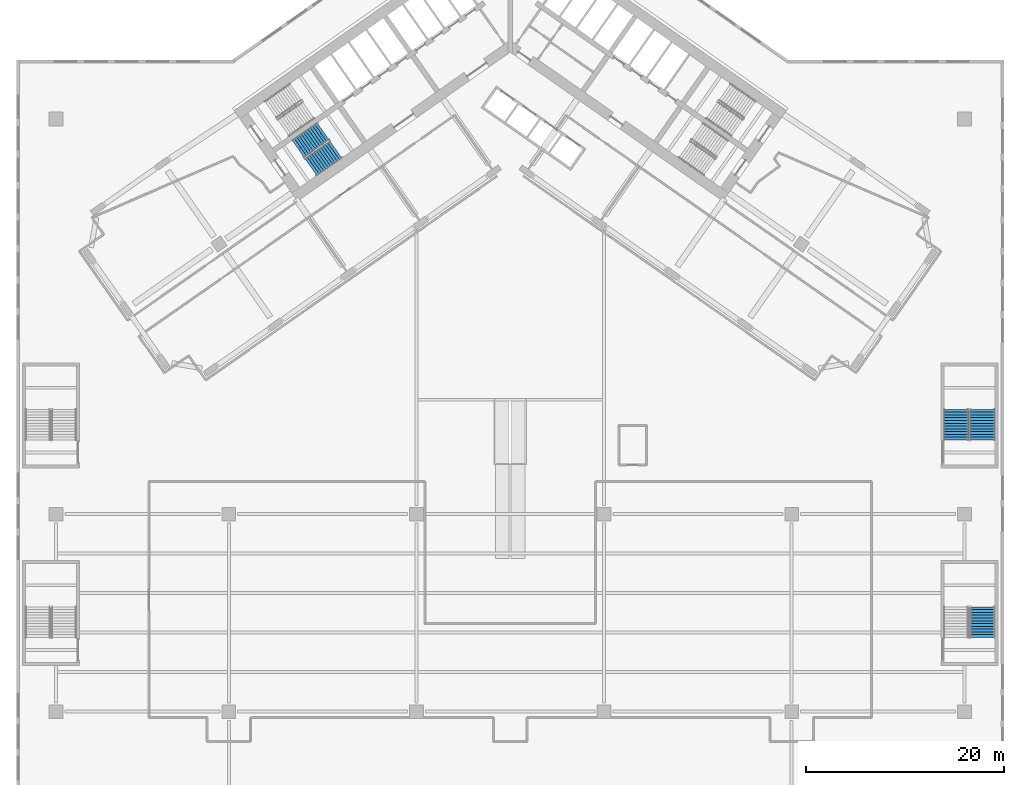
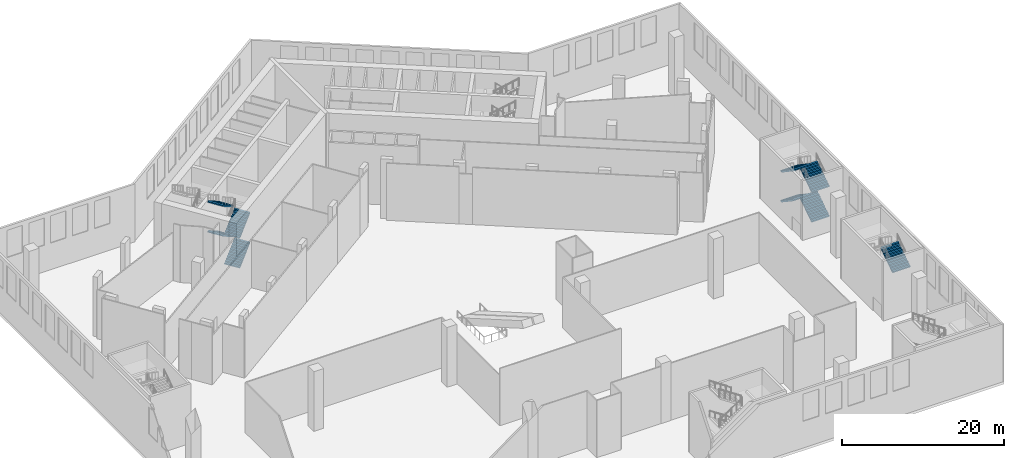
# One storey, part 16 of 27: 9 stair flights, 3 elements without a shape of their own.
"""IFC4 building model written with IfcOpenShell, lengths in metres."""

import ifcopenshell
import ifcopenshell.guid

model = None  # the IFC model being written
_history = None  # IfcOwnerHistory: only IFC2X3 demands one
_inside = {}  # id of a spatial element -> (the spatial element, [elements in it])
_under = {}  # id of a project, library or spatial element -> (it, [spatial elements below it])
_declared = {}  # id of a project -> (the project, [libraries it declares])
_typed = {}  # id of a type object -> (the type object, [elements of that type])
_made_of = {}  # id of a material, layer set ... -> (it, [elements and type objects made of it])


def new_model(schema):
    """Start an empty IFC model of exactly this schema.

    Asked for "IFC4X3", IfcOpenShell would pick the latest addendum, in which some entities
    have other attributes; the version numbers below select the first issue.
    IFC2X3 requires an IfcOwnerHistory on every rooted entity: one is made here for all.
    """
    global model, _history
    if schema == "IFC4X3":
        model = ifcopenshell.file(schema_version=(4, 3, 0, 0))
    else:
        model = ifcopenshell.file(schema=schema)
    _inside.clear()
    _under.clear()
    _declared.clear()
    _typed.clear()
    _made_of.clear()
    _history = None
    if model.schema == "IFC2X3":
        org = make("IfcOrganization", Name="unknown")
        user = make(
            "IfcPersonAndOrganization",
            ThePerson=make("IfcPerson", FamilyName="unknown"),
            TheOrganization=org,
        )
        app = make(
            "IfcApplication",
            ApplicationDeveloper=org,
            Version="unknown",
            ApplicationFullName="unknown",
            ApplicationIdentifier="unknown",
        )
        _history = make(
            "IfcOwnerHistory",
            OwningUser=user,
            OwningApplication=app,
            ChangeAction="ADDED",
            CreationDate=0,
        )
    return model


def make(cls, **values):
    """One entity of the class cls with the attributes given. An attribute that is None is left unset."""
    return model.create_entity(
        cls, **{name: value for name, value in values.items() if value is not None}
    )


def rooted(cls, **values):
    """An entity with a GlobalId (a new one), such as an element, a storey or a relation."""
    return make(cls, GlobalId=ifcopenshell.guid.new(), OwnerHistory=_history, **values)


def si_unit(unit_type, name, prefix=None):
    """IfcSIUnit, for example si_unit("LENGTHUNIT", "METRE", prefix="MILLI")."""
    return make("IfcSIUnit", UnitType=unit_type, Prefix=prefix, Name=name)


def assignment(units):
    """IfcUnitAssignment: the units of a project."""
    return None if units is None else make("IfcUnitAssignment", Units=units)


def point(xyz):
    """IfcCartesianPoint."""
    return None if xyz is None else make("IfcCartesianPoint", Coordinates=xyz)


def direction(xyz):
    """IfcDirection."""
    return None if xyz is None else make("IfcDirection", DirectionRatios=xyz)


def frame(location, z_axis=None, x_axis=None):
    """IfcAxis2Placement3D, a coordinate frame: its origin and axes. An axis left out is left unset."""
    return make(
        "IfcAxis2Placement3D",
        Location=point(location),
        Axis=direction(z_axis),
        RefDirection=direction(x_axis),
    )


def origin():
    """The frame at (0, 0, 0) with its axes left unset."""
    return frame((0.0, 0.0, 0.0))


def place(relative_to, where):
    """IfcLocalPlacement: puts the frame where relative to a parent placement (None: the world)."""
    return make(
        "IfcLocalPlacement", PlacementRelTo=relative_to, RelativePlacement=where
    )


def context(
    kind, dimensions, precision=None, world=None, true_north=None, identifier=None
):
    """IfcGeometricRepresentationContext, for example the 3D "Model" context."""
    return make(
        "IfcGeometricRepresentationContext",
        ContextIdentifier=identifier,
        ContextType=kind,
        CoordinateSpaceDimension=dimensions,
        Precision=precision,
        WorldCoordinateSystem=world,
        TrueNorth=true_north,
    )


def subcontext(parent, identifier, kind, view, scale=None):
    """IfcGeometricRepresentationSubContext, for example "Body" below "Model"."""
    return make(
        "IfcGeometricRepresentationSubContext",
        ContextIdentifier=identifier,
        ContextType=kind,
        ParentContext=parent,
        TargetScale=scale,
        TargetView=view,
    )


def project(units=None, contexts=None):
    """IfcProject with its units and contexts."""
    return rooted(
        "IfcProject",
        Name="project",
        RepresentationContexts=contexts,
        UnitsInContext=assignment(units),
    )


def spatial(cls, under=None, at=None, **own):
    """A site, building, storey or space (cls), placed at a placement, below another one or the project."""
    s = rooted(cls, ObjectPlacement=at, **own)
    if under is not None:
        _under.setdefault(under.id(), (under, []))[1].append(s)
    return s


def polyline(points):
    """IfcPolyline through the points."""
    return make("IfcPolyline", Points=[point(p) for p in points])


def outline(outer, holes=None, kind="AREA"):
    """IfcArbitraryClosedProfileDef: a profile drawn as a closed curve; with holes, ...WithVoids."""
    if holes is None:
        return make("IfcArbitraryClosedProfileDef", ProfileType=kind, OuterCurve=outer)
    return make(
        "IfcArbitraryProfileDefWithVoids",
        ProfileType=kind,
        OuterCurve=outer,
        InnerCurves=holes,
    )


def extrude(swept, where, along, depth):
    """IfcExtrudedAreaSolid: the profile swept, set in the frame where, extruded along a direction by depth."""
    return make(
        "IfcExtrudedAreaSolid",
        SweptArea=swept,
        Position=where,
        ExtrudedDirection=direction(along),
        Depth=depth,
    )


def shape(context_of_items, identifier, shape_type, items):
    """IfcShapeRepresentation: the items that make up one representation, for example the "Body"."""
    return make(
        "IfcShapeRepresentation",
        ContextOfItems=context_of_items,
        RepresentationIdentifier=identifier,
        RepresentationType=shape_type,
        Items=items,
    )


def material(Name=None, Category=None):
    """IfcMaterial."""
    return make("IfcMaterial", Name=Name, Category=Category)


def made_of(thing, what):
    """Note that an element or type object is made of a material, layer set ...; save() writes the relation."""
    if what is not None:
        _made_of.setdefault(what.id(), (what, []))[1].append(thing)
    return thing


def type_object(cls, material=None, **own):
    """A type object (cls), such as IfcWallType, which elements share."""
    return made_of(rooted(cls, **own), material)


def element(
    cls,
    number,
    at=None,
    inside=None,
    cuts=None,
    type_object=None,
    material=None,
    context=None,
    identifier="Body",
    shape_type=None,
    held_by="IfcProductDefinitionShape",
    body=None,
    shapes=None,
    **own,
):
    """One element of the class cls, such as IfcWall. Its Tag is "e" and its number.

    at: its placement. inside: the storey or other place that contains it. cuts: it is an
    opening in that element (IfcRelVoidsElement). A single representation is given by context,
    identifier, shape_type and body (its items); several are given by shapes. held_by: the class
    of the entity that holds the representations. save() writes the other relations.
    """
    e = rooted(cls, Tag="e%d" % number, ObjectPlacement=at, **own)
    if body is not None:
        shapes = [shape(context, identifier, shape_type, body)]
    if shapes is not None:
        e.Representation = make(held_by, Representations=shapes)
    if inside is not None:
        _inside.setdefault(inside.id(), (inside, []))[1].append(e)
    if cuts is not None:
        rooted(
            "IfcRelVoidsElement", RelatingBuildingElement=cuts, RelatedOpeningElement=e
        )
    if type_object is not None:
        _typed.setdefault(type_object.id(), (type_object, []))[1].append(e)
    return made_of(e, material)


def aggregate(whole, parts):
    """IfcRelAggregates: a whole, such as a stair, and the parts it consists of."""
    return rooted("IfcRelAggregates", RelatingObject=whole, RelatedObjects=parts)


def save(model, path):
    """Write the relations noted so far, then the file.

    IfcRelAggregates (storeys below a building ...), IfcRelContainedInSpatialStructure (elements
    in a storey), IfcRelDefinesByType, IfcRelAssociatesMaterial and IfcRelDeclares: one each for
    every whole, place, type object, material and project.
    """
    for whole, parts in _under.values():
        aggregate(whole, parts)
    for where, things in _inside.values():
        rooted(
            "IfcRelContainedInSpatialStructure",
            RelatedElements=things,
            RelatingStructure=where,
        )
    for kind, things in _typed.values():
        rooted("IfcRelDefinesByType", RelatedObjects=things, RelatingType=kind)
    for what, things in _made_of.values():
        rooted("IfcRelAssociatesMaterial", RelatedObjects=things, RelatingMaterial=what)
    for by, libraries in _declared.values():
        rooted("IfcRelDeclares", RelatingContext=by, RelatedDefinitions=libraries)
    model.write(path)


model = new_model("IFC4")

# Units and contexts
model_context = context("Model", 3, precision=1e-05, world=origin(), true_north=direction((0.0, 1.0)))
body_context = subcontext(model_context, "Body", "Model", "MODEL_VIEW")
ifc_project = project(units=[si_unit("LENGTHUNIT", "METRE"), si_unit("AREAUNIT", "SQUARE_METRE"), si_unit("VOLUMEUNIT", "CUBIC_METRE"), si_unit("PLANEANGLEUNIT", "RADIAN"), si_unit("MASSUNIT", "GRAM", prefix="KILO")], contexts=[model_context])

# Site, building, storey
site_placement = place(None, origin())
site = spatial("IfcSite", under=ifc_project, at=site_placement, CompositionType="ELEMENT")
building_placement = place(site_placement, origin())
building = spatial("IfcBuilding", under=site, at=building_placement, Name="Tel Ilan Convention Tower", CompositionType="ELEMENT")
storey_placement = place(building_placement, frame((0.0, 0.0, 9.0)))
storey = spatial("IfcBuildingStorey", under=building, at=storey_placement, Name="L01", CompositionType="ELEMENT", Elevation=9.0)

# Stair, stair flights
ifc_material_1 = material(Name="Concrete C40/50", Category="concrete")
stair_type = type_object("IfcStairType", Name="Pressurised Exit Stair 48 risers 188 mm", PredefinedType="HALF_TURN_STAIR", material=ifc_material_1)
stair_1_placement = place(storey_placement, origin())
stair_1 = element("IfcStair", 1, at=stair_1_placement, inside=storey, type_object=stair_type, Name="L01 Pressurised Stair S2", PredefinedType="HALF_TURN_STAIR")
ifc_material_2 = material(Name="Precast Concrete C40/50", Category="concrete")
stair_flight_type_1 = type_object("IfcStairFlightType", Name="Concrete Stair Flight 2100 mm 48 risers 188 mm", PredefinedType="STRAIGHT", material=ifc_material_2)
stair_flight_1_placement = place(storey_placement, frame((-20.179931640625, -12.848388671875, 0.0), z_axis=(0.0, 0.0, 1.0), x_axis=(0.819152044289, 0.573576436351, 0.0)))
stair_flight_1 = element("IfcStairFlight", 2, at=stair_flight_1_placement, type_object=stair_flight_type_1, Name="S2 flight 1", NumberOfRisers=12, NumberOfTreads=11, PredefinedType="STRAIGHT", RiserHeight=0.1875, TreadLength=0.28, context=body_context, shape_type="SweptSolid", body=[
    extrude(outline(polyline([(0.0, 0.0), (0.0, 0.1875), (0.280029296875, 0.1875), (0.280029296875, 0.375), (0.56005859375, 0.375), (0.56005859375, 0.5625), (0.840087890625, 0.5625), (0.840087890625, 0.75), (1.1201171875, 0.75), (1.1201171875, 0.9375), (1.39990234375, 0.9375), (1.39990234375, 1.125), (1.679931640625, 1.125), (1.679931640625, 1.3125), (1.9599609375, 1.3125), (1.9599609375, 1.5), (2.239990234375, 1.5), (2.239990234375, 1.6875), (2.52001953125, 1.6875), (2.52001953125, 1.875), (2.800048828125, 1.875), (2.800048828125, 2.0625), (3.080078125, 2.0625), (3.080078125, 2.25), (3.080078125, 1.882080078125), (0.26953125, 0.0), (0.0, 0.0)])), frame((0.0, -0.100341796875, 0.0), z_axis=(0.0, -1.0, 0.0), x_axis=(1.0, 0.0, 0.0)), (0.0, 0.0, 1.0), 0.94970703125),
    extrude(outline(polyline([(0.0, 0.0), (0.0, 0.1875), (0.280029296875, 0.1875), (0.280029296875, 0.375), (0.56005859375, 0.375), (0.56005859375, 0.5625), (0.840087890625, 0.5625), (0.840087890625, 0.75), (1.1201171875, 0.75), (1.1201171875, 0.9375), (1.39990234375, 0.9375), (1.39990234375, 1.125), (1.679931640625, 1.125), (1.679931640625, 1.3125), (1.9599609375, 1.3125), (1.9599609375, 1.5), (2.239990234375, 1.5), (2.239990234375, 1.6875), (2.52001953125, 1.6875), (2.52001953125, 1.875), (2.800048828125, 1.875), (2.800048828125, 2.0625), (3.080078125, 2.0625), (3.080078125, 2.25), (3.080078125, 1.882080078125), (0.26953125, 0.0), (0.0, 0.0)])), frame((0.0, -0.000244140625, 0.0), z_axis=(0.0, -1.0, 0.0), x_axis=(1.0, 0.0, 0.0)), (0.0, 0.0, 1.0), 0.099609375),
    extrude(outline(polyline([(0.0, 0.0), (0.0, 0.1875), (0.280029296875, 0.1875), (0.280029296875, 0.375), (0.56005859375, 0.375), (0.56005859375, 0.5625), (0.840087890625, 0.5625), (0.840087890625, 0.75), (1.1201171875, 0.75), (1.1201171875, 0.9375), (1.39990234375, 0.9375), (1.39990234375, 1.125), (1.679931640625, 1.125), (1.679931640625, 1.3125), (1.9599609375, 1.3125), (1.9599609375, 1.5), (2.239990234375, 1.5), (2.239990234375, 1.6875), (2.52001953125, 1.6875), (2.52001953125, 1.875), (2.800048828125, 1.875), (2.800048828125, 2.0625), (3.080078125, 2.0625), (3.080078125, 2.25), (3.080078125, 1.882080078125), (0.26953125, 0.0), (0.0, 0.0)])), frame((0.0, 0.099853515625, 0.0), z_axis=(0.0, -1.0, 0.0), x_axis=(1.0, 0.0, 0.0)), (0.0, 0.0, 1.0), 0.099609375),
    extrude(outline(polyline([(0.0, 0.0), (0.0, 0.1875), (0.280029296875, 0.1875), (0.280029296875, 0.375), (0.56005859375, 0.375), (0.56005859375, 0.5625), (0.840087890625, 0.5625), (0.840087890625, 0.75), (1.1201171875, 0.75), (1.1201171875, 0.9375), (1.39990234375, 0.9375), (1.39990234375, 1.125), (1.679931640625, 1.125), (1.679931640625, 1.3125), (1.9599609375, 1.3125), (1.9599609375, 1.5), (2.239990234375, 1.5), (2.239990234375, 1.6875), (2.52001953125, 1.6875), (2.52001953125, 1.875), (2.800048828125, 1.875), (2.800048828125, 2.0625), (3.080078125, 2.0625), (3.080078125, 2.25), (3.080078125, 1.882080078125), (0.26953125, 0.0), (0.0, 0.0)])), frame((0.0, 1.050048828125, 0.0), z_axis=(0.0, -1.0, 0.0), x_axis=(1.0, 0.0, 0.0)), (0.0, 0.0, 1.0), 0.94970703125),
])
stair_flight_2_placement = place(storey_placement, frame((-18.947509765625, -9.23876953125, 2.25), z_axis=(0.0, 0.0, 1.0), x_axis=(-0.819152044289, -0.573576436351, 0.0)))
stair_flight_2 = element("IfcStairFlight", 3, at=stair_flight_2_placement, type_object=stair_flight_type_1, Name="S2 flight 2", NumberOfRisers=12, NumberOfTreads=11, PredefinedType="STRAIGHT", RiserHeight=0.1875, TreadLength=0.28, context=body_context, shape_type="SweptSolid", body=[
    extrude(outline(polyline([(0.0, 0.0), (0.0, 0.1875), (0.280029296875, 0.1875), (0.280029296875, 0.375), (0.56005859375, 0.375), (0.56005859375, 0.5625), (0.840087890625, 0.5625), (0.840087890625, 0.75), (1.1201171875, 0.75), (1.1201171875, 0.9375), (1.39990234375, 0.9375), (1.39990234375, 1.125), (1.679931640625, 1.125), (1.679931640625, 1.3125), (1.9599609375, 1.3125), (1.9599609375, 1.5), (2.239990234375, 1.5), (2.239990234375, 1.6875), (2.52001953125, 1.6875), (2.52001953125, 1.875), (2.800048828125, 1.875), (2.800048828125, 2.0625), (3.080078125, 2.0625), (3.080078125, 2.25), (3.080078125, 1.882080078125), (0.26953125, 0.0), (0.0, 0.0)])), frame((0.0, -0.100341796875, 0.0), z_axis=(0.0, -1.0, 0.0), x_axis=(1.0, 0.0, 0.0)), (0.0, 0.0, 1.0), 0.94970703125),
    extrude(outline(polyline([(0.0, 0.0), (0.0, 0.1875), (0.280029296875, 0.1875), (0.280029296875, 0.375), (0.56005859375, 0.375), (0.56005859375, 0.5625), (0.840087890625, 0.5625), (0.840087890625, 0.75), (1.1201171875, 0.75), (1.1201171875, 0.9375), (1.39990234375, 0.9375), (1.39990234375, 1.125), (1.679931640625, 1.125), (1.679931640625, 1.3125), (1.9599609375, 1.3125), (1.9599609375, 1.5), (2.239990234375, 1.5), (2.239990234375, 1.6875), (2.52001953125, 1.6875), (2.52001953125, 1.875), (2.800048828125, 1.875), (2.800048828125, 2.0625), (3.080078125, 2.0625), (3.080078125, 2.25), (3.080078125, 1.882080078125), (0.26953125, 0.0), (0.0, 0.0)])), frame((0.0, -0.000244140625, 0.0), z_axis=(0.0, -1.0, 0.0), x_axis=(1.0, 0.0, 0.0)), (0.0, 0.0, 1.0), 0.099609375),
    extrude(outline(polyline([(0.0, 0.0), (0.0, 0.1875), (0.280029296875, 0.1875), (0.280029296875, 0.375), (0.56005859375, 0.375), (0.56005859375, 0.5625), (0.840087890625, 0.5625), (0.840087890625, 0.75), (1.1201171875, 0.75), (1.1201171875, 0.9375), (1.39990234375, 0.9375), (1.39990234375, 1.125), (1.679931640625, 1.125), (1.679931640625, 1.3125), (1.9599609375, 1.3125), (1.9599609375, 1.5), (2.239990234375, 1.5), (2.239990234375, 1.6875), (2.52001953125, 1.6875), (2.52001953125, 1.875), (2.800048828125, 1.875), (2.800048828125, 2.0625), (3.080078125, 2.0625), (3.080078125, 2.25), (3.080078125, 1.882080078125), (0.26953125, 0.0), (0.0, 0.0)])), frame((0.0, 0.099853515625, 0.0), z_axis=(0.0, -1.0, 0.0), x_axis=(1.0, 0.0, 0.0)), (0.0, 0.0, 1.0), 0.099609375),
    extrude(outline(polyline([(0.0, 0.0), (0.0, 0.1875), (0.280029296875, 0.1875), (0.280029296875, 0.375), (0.56005859375, 0.375), (0.56005859375, 0.5625), (0.840087890625, 0.5625), (0.840087890625, 0.75), (1.1201171875, 0.75), (1.1201171875, 0.9375), (1.39990234375, 0.9375), (1.39990234375, 1.125), (1.679931640625, 1.125), (1.679931640625, 1.3125), (1.9599609375, 1.3125), (1.9599609375, 1.5), (2.239990234375, 1.5), (2.239990234375, 1.6875), (2.52001953125, 1.6875), (2.52001953125, 1.875), (2.800048828125, 1.875), (2.800048828125, 2.0625), (3.080078125, 2.0625), (3.080078125, 2.25), (3.080078125, 1.882080078125), (0.26953125, 0.0), (0.0, 0.0)])), frame((0.0, 1.050048828125, 0.0), z_axis=(0.0, -1.0, 0.0), x_axis=(1.0, 0.0, 0.0)), (0.0, 0.0, 1.0), 0.94970703125),
])
stair_flight_3_placement = place(storey_placement, frame((-20.179931640625, -12.848388671875, 4.5), z_axis=(0.0, 0.0, 1.0), x_axis=(0.819152044289, 0.573576436351, 0.0)))
stair_flight_3 = element("IfcStairFlight", 4, at=stair_flight_3_placement, type_object=stair_flight_type_1, Name="S2 flight 3", NumberOfRisers=12, NumberOfTreads=11, PredefinedType="STRAIGHT", RiserHeight=0.1875, TreadLength=0.28, context=body_context, shape_type="SweptSolid", body=[
    extrude(outline(polyline([(0.0, 0.0), (0.0, 0.1875), (0.280029296875, 0.1875), (0.280029296875, 0.375), (0.56005859375, 0.375), (0.56005859375, 0.5625), (0.840087890625, 0.5625), (0.840087890625, 0.75), (1.1201171875, 0.75), (1.1201171875, 0.9375), (1.39990234375, 0.9375), (1.39990234375, 1.125), (1.679931640625, 1.125), (1.679931640625, 1.3125), (1.9599609375, 1.3125), (1.9599609375, 1.5), (2.239990234375, 1.5), (2.239990234375, 1.6875), (2.52001953125, 1.6875), (2.52001953125, 1.875), (2.800048828125, 1.875), (2.800048828125, 2.0625), (3.080078125, 2.0625), (3.080078125, 2.25), (3.080078125, 1.882080078125), (0.26953125, 0.0), (0.0, 0.0)])), frame((0.0, -0.100341796875, 0.0), z_axis=(0.0, -1.0, 0.0), x_axis=(1.0, 0.0, 0.0)), (0.0, 0.0, 1.0), 0.94970703125),
    extrude(outline(polyline([(0.0, 0.0), (0.0, 0.1875), (0.280029296875, 0.1875), (0.280029296875, 0.375), (0.56005859375, 0.375), (0.56005859375, 0.5625), (0.840087890625, 0.5625), (0.840087890625, 0.75), (1.1201171875, 0.75), (1.1201171875, 0.9375), (1.39990234375, 0.9375), (1.39990234375, 1.125), (1.679931640625, 1.125), (1.679931640625, 1.3125), (1.9599609375, 1.3125), (1.9599609375, 1.5), (2.239990234375, 1.5), (2.239990234375, 1.6875), (2.52001953125, 1.6875), (2.52001953125, 1.875), (2.800048828125, 1.875), (2.800048828125, 2.0625), (3.080078125, 2.0625), (3.080078125, 2.25), (3.080078125, 1.882080078125), (0.26953125, 0.0), (0.0, 0.0)])), frame((0.0, -0.000244140625, 0.0), z_axis=(0.0, -1.0, 0.0), x_axis=(1.0, 0.0, 0.0)), (0.0, 0.0, 1.0), 0.099609375),
    extrude(outline(polyline([(0.0, 0.0), (0.0, 0.1875), (0.280029296875, 0.1875), (0.280029296875, 0.375), (0.56005859375, 0.375), (0.56005859375, 0.5625), (0.840087890625, 0.5625), (0.840087890625, 0.75), (1.1201171875, 0.75), (1.1201171875, 0.9375), (1.39990234375, 0.9375), (1.39990234375, 1.125), (1.679931640625, 1.125), (1.679931640625, 1.3125), (1.9599609375, 1.3125), (1.9599609375, 1.5), (2.239990234375, 1.5), (2.239990234375, 1.6875), (2.52001953125, 1.6875), (2.52001953125, 1.875), (2.800048828125, 1.875), (2.800048828125, 2.0625), (3.080078125, 2.0625), (3.080078125, 2.25), (3.080078125, 1.882080078125), (0.26953125, 0.0), (0.0, 0.0)])), frame((0.0, 0.099853515625, 0.0), z_axis=(0.0, -1.0, 0.0), x_axis=(1.0, 0.0, 0.0)), (0.0, 0.0, 1.0), 0.099609375),
    extrude(outline(polyline([(0.0, 0.0), (0.0, 0.1875), (0.280029296875, 0.1875), (0.280029296875, 0.375), (0.56005859375, 0.375), (0.56005859375, 0.5625), (0.840087890625, 0.5625), (0.840087890625, 0.75), (1.1201171875, 0.75), (1.1201171875, 0.9375), (1.39990234375, 0.9375), (1.39990234375, 1.125), (1.679931640625, 1.125), (1.679931640625, 1.3125), (1.9599609375, 1.3125), (1.9599609375, 1.5), (2.239990234375, 1.5), (2.239990234375, 1.6875), (2.52001953125, 1.6875), (2.52001953125, 1.875), (2.800048828125, 1.875), (2.800048828125, 2.0625), (3.080078125, 2.0625), (3.080078125, 2.25), (3.080078125, 1.882080078125), (0.26953125, 0.0), (0.0, 0.0)])), frame((0.0, 1.050048828125, 0.0), z_axis=(0.0, -1.0, 0.0), x_axis=(1.0, 0.0, 0.0)), (0.0, 0.0, 1.0), 0.94970703125),
])
stair_flight_4_placement = place(storey_placement, frame((-18.947509765625, -9.23876953125, 6.75), z_axis=(0.0, 0.0, 1.0), x_axis=(-0.819152044289, -0.573576436351, 0.0)))
stair_flight_4 = element("IfcStairFlight", 5, at=stair_flight_4_placement, type_object=stair_flight_type_1, Name="S2 flight 4", NumberOfRisers=12, NumberOfTreads=11, PredefinedType="STRAIGHT", RiserHeight=0.1875, TreadLength=0.28, context=body_context, shape_type="SweptSolid", body=[
    extrude(outline(polyline([(0.0, 0.0), (0.0, 0.1875), (0.280029296875, 0.1875), (0.280029296875, 0.375), (0.56005859375, 0.375), (0.56005859375, 0.5625), (0.840087890625, 0.5625), (0.840087890625, 0.75), (1.1201171875, 0.75), (1.1201171875, 0.9375), (1.39990234375, 0.9375), (1.39990234375, 1.125), (1.679931640625, 1.125), (1.679931640625, 1.3125), (1.9599609375, 1.3125), (1.9599609375, 1.5), (2.239990234375, 1.5), (2.239990234375, 1.6875), (2.52001953125, 1.6875), (2.52001953125, 1.875), (2.800048828125, 1.875), (2.800048828125, 2.0625), (3.080078125, 2.0625), (3.080078125, 2.25), (3.080078125, 1.882080078125), (0.26953125, 0.0), (0.0, 0.0)])), frame((0.0, -0.100341796875, 0.0), z_axis=(0.0, -1.0, 0.0), x_axis=(1.0, 0.0, 0.0)), (0.0, 0.0, 1.0), 0.94970703125),
    extrude(outline(polyline([(0.0, 0.0), (0.0, 0.1875), (0.280029296875, 0.1875), (0.280029296875, 0.375), (0.56005859375, 0.375), (0.56005859375, 0.5625), (0.840087890625, 0.5625), (0.840087890625, 0.75), (1.1201171875, 0.75), (1.1201171875, 0.9375), (1.39990234375, 0.9375), (1.39990234375, 1.125), (1.679931640625, 1.125), (1.679931640625, 1.3125), (1.9599609375, 1.3125), (1.9599609375, 1.5), (2.239990234375, 1.5), (2.239990234375, 1.6875), (2.52001953125, 1.6875), (2.52001953125, 1.875), (2.800048828125, 1.875), (2.800048828125, 2.0625), (3.080078125, 2.0625), (3.080078125, 2.25), (3.080078125, 1.882080078125), (0.26953125, 0.0), (0.0, 0.0)])), frame((0.0, -0.000244140625, 0.0), z_axis=(0.0, -1.0, 0.0), x_axis=(1.0, 0.0, 0.0)), (0.0, 0.0, 1.0), 0.099609375),
    extrude(outline(polyline([(0.0, 0.0), (0.0, 0.1875), (0.280029296875, 0.1875), (0.280029296875, 0.375), (0.56005859375, 0.375), (0.56005859375, 0.5625), (0.840087890625, 0.5625), (0.840087890625, 0.75), (1.1201171875, 0.75), (1.1201171875, 0.9375), (1.39990234375, 0.9375), (1.39990234375, 1.125), (1.679931640625, 1.125), (1.679931640625, 1.3125), (1.9599609375, 1.3125), (1.9599609375, 1.5), (2.239990234375, 1.5), (2.239990234375, 1.6875), (2.52001953125, 1.6875), (2.52001953125, 1.875), (2.800048828125, 1.875), (2.800048828125, 2.0625), (3.080078125, 2.0625), (3.080078125, 2.25), (3.080078125, 1.882080078125), (0.26953125, 0.0), (0.0, 0.0)])), frame((0.0, 0.099853515625, 0.0), z_axis=(0.0, -1.0, 0.0), x_axis=(1.0, 0.0, 0.0)), (0.0, 0.0, 1.0), 0.099609375),
    extrude(outline(polyline([(0.0, 0.0), (0.0, 0.1875), (0.280029296875, 0.1875), (0.280029296875, 0.375), (0.56005859375, 0.375), (0.56005859375, 0.5625), (0.840087890625, 0.5625), (0.840087890625, 0.75), (1.1201171875, 0.75), (1.1201171875, 0.9375), (1.39990234375, 0.9375), (1.39990234375, 1.125), (1.679931640625, 1.125), (1.679931640625, 1.3125), (1.9599609375, 1.3125), (1.9599609375, 1.5), (2.239990234375, 1.5), (2.239990234375, 1.6875), (2.52001953125, 1.6875), (2.52001953125, 1.875), (2.800048828125, 1.875), (2.800048828125, 2.0625), (3.080078125, 2.0625), (3.080078125, 2.25), (3.080078125, 1.882080078125), (0.26953125, 0.0), (0.0, 0.0)])), frame((0.0, 1.050048828125, 0.0), z_axis=(0.0, -1.0, 0.0), x_axis=(1.0, 0.0, 0.0)), (0.0, 0.0, 1.0), 0.94970703125),
])
aggregate(stair_1, [stair_flight_1, stair_flight_2, stair_flight_3, stair_flight_4])

# Stair, stair flight
stair_2_placement = place(storey_placement, origin())
stair_2 = element("IfcStair", 6, at=stair_2_placement, inside=storey, type_object=stair_type, Name="L01 Podium Exit Stair P6", PredefinedType="HALF_TURN_STAIR")
ifc_material_3 = material(Name="Precast Concrete C40/50", Category="concrete")
stair_flight_type_2 = type_object("IfcStairFlightType", Name="Concrete Stair Flight 2525 mm 48 risers 188 mm", PredefinedType="STRAIGHT", material=ifc_material_3)
stair_flight_5_placement = place(storey_placement, frame((47.83740234375, -60.47509765625, 4.5), z_axis=(0.0, 0.0, 1.0), x_axis=(0.0, 1.0, 0.0)))
stair_flight_5 = element("IfcStairFlight", 7, at=stair_flight_5_placement, type_object=stair_flight_type_2, Name="P6 flight 3", NumberOfRisers=12, NumberOfTreads=11, PredefinedType="STRAIGHT", RiserHeight=0.1875, TreadLength=0.28, context=body_context, shape_type="SweptSolid", body=[
    extrude(outline(polyline([(0.0, 0.0), (0.0, 0.1875), (0.280029296875, 0.1875), (0.280029296875, 0.375), (0.56005859375, 0.375), (0.56005859375, 0.5625), (0.840087890625, 0.5625), (0.840087890625, 0.75), (1.1201171875, 0.75), (1.1201171875, 0.9375), (1.39990234375, 0.9375), (1.39990234375, 1.125), (1.679931640625, 1.125), (1.679931640625, 1.3125), (1.9599609375, 1.3125), (1.9599609375, 1.5), (2.239990234375, 1.5), (2.239990234375, 1.6875), (2.52001953125, 1.6875), (2.52001953125, 1.875), (2.800048828125, 1.875), (2.800048828125, 2.0625), (3.080078125, 2.0625), (3.080078125, 2.25), (3.080078125, 1.882080078125), (0.26953125, 0.0), (0.0, 0.0)])), frame((0.0, -0.100341796875, 0.0), z_axis=(0.0, -1.0, 0.0), x_axis=(1.0, 0.0, 0.0)), (0.0, 0.0, 1.0), 1.162109375),
    extrude(outline(polyline([(0.0, 0.0), (0.0, 0.1875), (0.280029296875, 0.1875), (0.280029296875, 0.375), (0.56005859375, 0.375), (0.56005859375, 0.5625), (0.840087890625, 0.5625), (0.840087890625, 0.75), (1.1201171875, 0.75), (1.1201171875, 0.9375), (1.39990234375, 0.9375), (1.39990234375, 1.125), (1.679931640625, 1.125), (1.679931640625, 1.3125), (1.9599609375, 1.3125), (1.9599609375, 1.5), (2.239990234375, 1.5), (2.239990234375, 1.6875), (2.52001953125, 1.6875), (2.52001953125, 1.875), (2.800048828125, 1.875), (2.800048828125, 2.0625), (3.080078125, 2.0625), (3.080078125, 2.25), (3.080078125, 1.882080078125), (0.26953125, 0.0), (0.0, 0.0)])), frame((0.0, -0.000244140625, 0.0), z_axis=(0.0, -1.0, 0.0), x_axis=(1.0, 0.0, 0.0)), (0.0, 0.0, 1.0), 0.099609375),
    extrude(outline(polyline([(0.0, 0.0), (0.0, 0.1875), (0.280029296875, 0.1875), (0.280029296875, 0.375), (0.56005859375, 0.375), (0.56005859375, 0.5625), (0.840087890625, 0.5625), (0.840087890625, 0.75), (1.1201171875, 0.75), (1.1201171875, 0.9375), (1.39990234375, 0.9375), (1.39990234375, 1.125), (1.679931640625, 1.125), (1.679931640625, 1.3125), (1.9599609375, 1.3125), (1.9599609375, 1.5), (2.239990234375, 1.5), (2.239990234375, 1.6875), (2.52001953125, 1.6875), (2.52001953125, 1.875), (2.800048828125, 1.875), (2.800048828125, 2.0625), (3.080078125, 2.0625), (3.080078125, 2.25), (3.080078125, 1.882080078125), (0.26953125, 0.0), (0.0, 0.0)])), frame((0.0, 0.099853515625, 0.0), z_axis=(0.0, -1.0, 0.0), x_axis=(1.0, 0.0, 0.0)), (0.0, 0.0, 1.0), 0.099609375),
    extrude(outline(polyline([(0.0, 0.0), (0.0, 0.1875), (0.280029296875, 0.1875), (0.280029296875, 0.375), (0.56005859375, 0.375), (0.56005859375, 0.5625), (0.840087890625, 0.5625), (0.840087890625, 0.75), (1.1201171875, 0.75), (1.1201171875, 0.9375), (1.39990234375, 0.9375), (1.39990234375, 1.125), (1.679931640625, 1.125), (1.679931640625, 1.3125), (1.9599609375, 1.3125), (1.9599609375, 1.5), (2.239990234375, 1.5), (2.239990234375, 1.6875), (2.52001953125, 1.6875), (2.52001953125, 1.875), (2.800048828125, 1.875), (2.800048828125, 2.0625), (3.080078125, 2.0625), (3.080078125, 2.25), (3.080078125, 1.882080078125), (0.26953125, 0.0), (0.0, 0.0)])), frame((0.0, 1.262451171875, 0.0), z_axis=(0.0, -1.0, 0.0), x_axis=(1.0, 0.0, 0.0)), (0.0, 0.0, 1.0), 1.162109375),
])
aggregate(stair_2, [stair_flight_5])

# Stair, stair flights
stair_3_placement = place(storey_placement, origin())
stair_3 = element("IfcStair", 8, at=stair_3_placement, inside=storey, type_object=stair_type, Name="L01 Podium Exit Stair P8", PredefinedType="HALF_TURN_STAIR")
stair_flight_6_placement = place(storey_placement, frame((47.83740234375, -40.47509765625, 0.0), z_axis=(0.0, 0.0, 1.0), x_axis=(0.0, 1.0, 0.0)))
stair_flight_6 = element("IfcStairFlight", 9, at=stair_flight_6_placement, type_object=stair_flight_type_2, Name="P8 flight 1", NumberOfRisers=12, NumberOfTreads=11, PredefinedType="STRAIGHT", RiserHeight=0.1875, TreadLength=0.28, context=body_context, shape_type="SweptSolid", body=[
    extrude(outline(polyline([(0.0, 0.0), (0.0, 0.1875), (0.280029296875, 0.1875), (0.280029296875, 0.375), (0.56005859375, 0.375), (0.56005859375, 0.5625), (0.840087890625, 0.5625), (0.840087890625, 0.75), (1.1201171875, 0.75), (1.1201171875, 0.9375), (1.39990234375, 0.9375), (1.39990234375, 1.125), (1.679931640625, 1.125), (1.679931640625, 1.3125), (1.9599609375, 1.3125), (1.9599609375, 1.5), (2.239990234375, 1.5), (2.239990234375, 1.6875), (2.52001953125, 1.6875), (2.52001953125, 1.875), (2.800048828125, 1.875), (2.800048828125, 2.0625), (3.080078125, 2.0625), (3.080078125, 2.25), (3.080078125, 1.882080078125), (0.26953125, 0.0), (0.0, 0.0)])), frame((0.0, -0.100341796875, 0.0), z_axis=(0.0, -1.0, 0.0), x_axis=(1.0, 0.0, 0.0)), (0.0, 0.0, 1.0), 1.162109375),
    extrude(outline(polyline([(0.0, 0.0), (0.0, 0.1875), (0.280029296875, 0.1875), (0.280029296875, 0.375), (0.56005859375, 0.375), (0.56005859375, 0.5625), (0.840087890625, 0.5625), (0.840087890625, 0.75), (1.1201171875, 0.75), (1.1201171875, 0.9375), (1.39990234375, 0.9375), (1.39990234375, 1.125), (1.679931640625, 1.125), (1.679931640625, 1.3125), (1.9599609375, 1.3125), (1.9599609375, 1.5), (2.239990234375, 1.5), (2.239990234375, 1.6875), (2.52001953125, 1.6875), (2.52001953125, 1.875), (2.800048828125, 1.875), (2.800048828125, 2.0625), (3.080078125, 2.0625), (3.080078125, 2.25), (3.080078125, 1.882080078125), (0.26953125, 0.0), (0.0, 0.0)])), frame((0.0, -0.000244140625, 0.0), z_axis=(0.0, -1.0, 0.0), x_axis=(1.0, 0.0, 0.0)), (0.0, 0.0, 1.0), 0.099609375),
    extrude(outline(polyline([(0.0, 0.0), (0.0, 0.1875), (0.280029296875, 0.1875), (0.280029296875, 0.375), (0.56005859375, 0.375), (0.56005859375, 0.5625), (0.840087890625, 0.5625), (0.840087890625, 0.75), (1.1201171875, 0.75), (1.1201171875, 0.9375), (1.39990234375, 0.9375), (1.39990234375, 1.125), (1.679931640625, 1.125), (1.679931640625, 1.3125), (1.9599609375, 1.3125), (1.9599609375, 1.5), (2.239990234375, 1.5), (2.239990234375, 1.6875), (2.52001953125, 1.6875), (2.52001953125, 1.875), (2.800048828125, 1.875), (2.800048828125, 2.0625), (3.080078125, 2.0625), (3.080078125, 2.25), (3.080078125, 1.882080078125), (0.26953125, 0.0), (0.0, 0.0)])), frame((0.0, 0.099853515625, 0.0), z_axis=(0.0, -1.0, 0.0), x_axis=(1.0, 0.0, 0.0)), (0.0, 0.0, 1.0), 0.099609375),
    extrude(outline(polyline([(0.0, 0.0), (0.0, 0.1875), (0.280029296875, 0.1875), (0.280029296875, 0.375), (0.56005859375, 0.375), (0.56005859375, 0.5625), (0.840087890625, 0.5625), (0.840087890625, 0.75), (1.1201171875, 0.75), (1.1201171875, 0.9375), (1.39990234375, 0.9375), (1.39990234375, 1.125), (1.679931640625, 1.125), (1.679931640625, 1.3125), (1.9599609375, 1.3125), (1.9599609375, 1.5), (2.239990234375, 1.5), (2.239990234375, 1.6875), (2.52001953125, 1.6875), (2.52001953125, 1.875), (2.800048828125, 1.875), (2.800048828125, 2.0625), (3.080078125, 2.0625), (3.080078125, 2.25), (3.080078125, 1.882080078125), (0.26953125, 0.0), (0.0, 0.0)])), frame((0.0, 1.262451171875, 0.0), z_axis=(0.0, -1.0, 0.0), x_axis=(1.0, 0.0, 0.0)), (0.0, 0.0, 1.0), 1.162109375),
])
stair_flight_7_placement = place(storey_placement, frame((45.16259765625, -37.39501953125, 2.25), z_axis=(0.0, 0.0, 1.0), x_axis=(0.0, -1.0, 0.0)))
stair_flight_7 = element("IfcStairFlight", 10, at=stair_flight_7_placement, type_object=stair_flight_type_2, Name="P8 flight 2", NumberOfRisers=12, NumberOfTreads=11, PredefinedType="STRAIGHT", RiserHeight=0.1875, TreadLength=0.28, context=body_context, shape_type="SweptSolid", body=[
    extrude(outline(polyline([(0.0, 0.0), (0.0, 0.1875), (0.280029296875, 0.1875), (0.280029296875, 0.375), (0.56005859375, 0.375), (0.56005859375, 0.5625), (0.840087890625, 0.5625), (0.840087890625, 0.75), (1.1201171875, 0.75), (1.1201171875, 0.9375), (1.39990234375, 0.9375), (1.39990234375, 1.125), (1.679931640625, 1.125), (1.679931640625, 1.3125), (1.9599609375, 1.3125), (1.9599609375, 1.5), (2.239990234375, 1.5), (2.239990234375, 1.6875), (2.52001953125, 1.6875), (2.52001953125, 1.875), (2.800048828125, 1.875), (2.800048828125, 2.0625), (3.080078125, 2.0625), (3.080078125, 2.25), (3.080078125, 1.882080078125), (0.26953125, 0.0), (0.0, 0.0)])), frame((0.0, -0.100341796875, 0.0), z_axis=(0.0, -1.0, 0.0), x_axis=(1.0, 0.0, 0.0)), (0.0, 0.0, 1.0), 1.162109375),
    extrude(outline(polyline([(0.0, 0.0), (0.0, 0.1875), (0.280029296875, 0.1875), (0.280029296875, 0.375), (0.56005859375, 0.375), (0.56005859375, 0.5625), (0.840087890625, 0.5625), (0.840087890625, 0.75), (1.1201171875, 0.75), (1.1201171875, 0.9375), (1.39990234375, 0.9375), (1.39990234375, 1.125), (1.679931640625, 1.125), (1.679931640625, 1.3125), (1.9599609375, 1.3125), (1.9599609375, 1.5), (2.239990234375, 1.5), (2.239990234375, 1.6875), (2.52001953125, 1.6875), (2.52001953125, 1.875), (2.800048828125, 1.875), (2.800048828125, 2.0625), (3.080078125, 2.0625), (3.080078125, 2.25), (3.080078125, 1.882080078125), (0.26953125, 0.0), (0.0, 0.0)])), frame((0.0, -0.000244140625, 0.0), z_axis=(0.0, -1.0, 0.0), x_axis=(1.0, 0.0, 0.0)), (0.0, 0.0, 1.0), 0.099609375),
    extrude(outline(polyline([(0.0, 0.0), (0.0, 0.1875), (0.280029296875, 0.1875), (0.280029296875, 0.375), (0.56005859375, 0.375), (0.56005859375, 0.5625), (0.840087890625, 0.5625), (0.840087890625, 0.75), (1.1201171875, 0.75), (1.1201171875, 0.9375), (1.39990234375, 0.9375), (1.39990234375, 1.125), (1.679931640625, 1.125), (1.679931640625, 1.3125), (1.9599609375, 1.3125), (1.9599609375, 1.5), (2.239990234375, 1.5), (2.239990234375, 1.6875), (2.52001953125, 1.6875), (2.52001953125, 1.875), (2.800048828125, 1.875), (2.800048828125, 2.0625), (3.080078125, 2.0625), (3.080078125, 2.25), (3.080078125, 1.882080078125), (0.26953125, 0.0), (0.0, 0.0)])), frame((0.0, 0.099853515625, 0.0), z_axis=(0.0, -1.0, 0.0), x_axis=(1.0, 0.0, 0.0)), (0.0, 0.0, 1.0), 0.099609375),
    extrude(outline(polyline([(0.0, 0.0), (0.0, 0.1875), (0.280029296875, 0.1875), (0.280029296875, 0.375), (0.56005859375, 0.375), (0.56005859375, 0.5625), (0.840087890625, 0.5625), (0.840087890625, 0.75), (1.1201171875, 0.75), (1.1201171875, 0.9375), (1.39990234375, 0.9375), (1.39990234375, 1.125), (1.679931640625, 1.125), (1.679931640625, 1.3125), (1.9599609375, 1.3125), (1.9599609375, 1.5), (2.239990234375, 1.5), (2.239990234375, 1.6875), (2.52001953125, 1.6875), (2.52001953125, 1.875), (2.800048828125, 1.875), (2.800048828125, 2.0625), (3.080078125, 2.0625), (3.080078125, 2.25), (3.080078125, 1.882080078125), (0.26953125, 0.0), (0.0, 0.0)])), frame((0.0, 1.262451171875, 0.0), z_axis=(0.0, -1.0, 0.0), x_axis=(1.0, 0.0, 0.0)), (0.0, 0.0, 1.0), 1.162109375),
])
stair_flight_8_placement = place(storey_placement, frame((47.83740234375, -40.47509765625, 4.5), z_axis=(0.0, 0.0, 1.0), x_axis=(0.0, 1.0, 0.0)))
stair_flight_8 = element("IfcStairFlight", 11, at=stair_flight_8_placement, type_object=stair_flight_type_2, Name="P8 flight 3", NumberOfRisers=12, NumberOfTreads=11, PredefinedType="STRAIGHT", RiserHeight=0.1875, TreadLength=0.28, context=body_context, shape_type="SweptSolid", body=[
    extrude(outline(polyline([(0.0, 0.0), (0.0, 0.1875), (0.280029296875, 0.1875), (0.280029296875, 0.375), (0.56005859375, 0.375), (0.56005859375, 0.5625), (0.840087890625, 0.5625), (0.840087890625, 0.75), (1.1201171875, 0.75), (1.1201171875, 0.9375), (1.39990234375, 0.9375), (1.39990234375, 1.125), (1.679931640625, 1.125), (1.679931640625, 1.3125), (1.9599609375, 1.3125), (1.9599609375, 1.5), (2.239990234375, 1.5), (2.239990234375, 1.6875), (2.52001953125, 1.6875), (2.52001953125, 1.875), (2.800048828125, 1.875), (2.800048828125, 2.0625), (3.080078125, 2.0625), (3.080078125, 2.25), (3.080078125, 1.882080078125), (0.26953125, 0.0), (0.0, 0.0)])), frame((0.0, -0.100341796875, 0.0), z_axis=(0.0, -1.0, 0.0), x_axis=(1.0, 0.0, 0.0)), (0.0, 0.0, 1.0), 1.162109375),
    extrude(outline(polyline([(0.0, 0.0), (0.0, 0.1875), (0.280029296875, 0.1875), (0.280029296875, 0.375), (0.56005859375, 0.375), (0.56005859375, 0.5625), (0.840087890625, 0.5625), (0.840087890625, 0.75), (1.1201171875, 0.75), (1.1201171875, 0.9375), (1.39990234375, 0.9375), (1.39990234375, 1.125), (1.679931640625, 1.125), (1.679931640625, 1.3125), (1.9599609375, 1.3125), (1.9599609375, 1.5), (2.239990234375, 1.5), (2.239990234375, 1.6875), (2.52001953125, 1.6875), (2.52001953125, 1.875), (2.800048828125, 1.875), (2.800048828125, 2.0625), (3.080078125, 2.0625), (3.080078125, 2.25), (3.080078125, 1.882080078125), (0.26953125, 0.0), (0.0, 0.0)])), frame((0.0, -0.000244140625, 0.0), z_axis=(0.0, -1.0, 0.0), x_axis=(1.0, 0.0, 0.0)), (0.0, 0.0, 1.0), 0.099609375),
    extrude(outline(polyline([(0.0, 0.0), (0.0, 0.1875), (0.280029296875, 0.1875), (0.280029296875, 0.375), (0.56005859375, 0.375), (0.56005859375, 0.5625), (0.840087890625, 0.5625), (0.840087890625, 0.75), (1.1201171875, 0.75), (1.1201171875, 0.9375), (1.39990234375, 0.9375), (1.39990234375, 1.125), (1.679931640625, 1.125), (1.679931640625, 1.3125), (1.9599609375, 1.3125), (1.9599609375, 1.5), (2.239990234375, 1.5), (2.239990234375, 1.6875), (2.52001953125, 1.6875), (2.52001953125, 1.875), (2.800048828125, 1.875), (2.800048828125, 2.0625), (3.080078125, 2.0625), (3.080078125, 2.25), (3.080078125, 1.882080078125), (0.26953125, 0.0), (0.0, 0.0)])), frame((0.0, 0.099853515625, 0.0), z_axis=(0.0, -1.0, 0.0), x_axis=(1.0, 0.0, 0.0)), (0.0, 0.0, 1.0), 0.099609375),
    extrude(outline(polyline([(0.0, 0.0), (0.0, 0.1875), (0.280029296875, 0.1875), (0.280029296875, 0.375), (0.56005859375, 0.375), (0.56005859375, 0.5625), (0.840087890625, 0.5625), (0.840087890625, 0.75), (1.1201171875, 0.75), (1.1201171875, 0.9375), (1.39990234375, 0.9375), (1.39990234375, 1.125), (1.679931640625, 1.125), (1.679931640625, 1.3125), (1.9599609375, 1.3125), (1.9599609375, 1.5), (2.239990234375, 1.5), (2.239990234375, 1.6875), (2.52001953125, 1.6875), (2.52001953125, 1.875), (2.800048828125, 1.875), (2.800048828125, 2.0625), (3.080078125, 2.0625), (3.080078125, 2.25), (3.080078125, 1.882080078125), (0.26953125, 0.0), (0.0, 0.0)])), frame((0.0, 1.262451171875, 0.0), z_axis=(0.0, -1.0, 0.0), x_axis=(1.0, 0.0, 0.0)), (0.0, 0.0, 1.0), 1.162109375),
])
stair_flight_9_placement = place(storey_placement, frame((45.16259765625, -37.39501953125, 6.75), z_axis=(0.0, 0.0, 1.0), x_axis=(0.0, -1.0, 0.0)))
stair_flight_9 = element("IfcStairFlight", 12, at=stair_flight_9_placement, type_object=stair_flight_type_2, Name="P8 flight 4", NumberOfRisers=12, NumberOfTreads=11, PredefinedType="STRAIGHT", RiserHeight=0.1875, TreadLength=0.28, context=body_context, shape_type="SweptSolid", body=[
    extrude(outline(polyline([(0.0, 0.0), (0.0, 0.1875), (0.280029296875, 0.1875), (0.280029296875, 0.375), (0.56005859375, 0.375), (0.56005859375, 0.5625), (0.840087890625, 0.5625), (0.840087890625, 0.75), (1.1201171875, 0.75), (1.1201171875, 0.9375), (1.39990234375, 0.9375), (1.39990234375, 1.125), (1.679931640625, 1.125), (1.679931640625, 1.3125), (1.9599609375, 1.3125), (1.9599609375, 1.5), (2.239990234375, 1.5), (2.239990234375, 1.6875), (2.52001953125, 1.6875), (2.52001953125, 1.875), (2.800048828125, 1.875), (2.800048828125, 2.0625), (3.080078125, 2.0625), (3.080078125, 2.25), (3.080078125, 1.882080078125), (0.26953125, 0.0), (0.0, 0.0)])), frame((0.0, -0.100341796875, 0.0), z_axis=(0.0, -1.0, 0.0), x_axis=(1.0, 0.0, 0.0)), (0.0, 0.0, 1.0), 1.162109375),
    extrude(outline(polyline([(0.0, 0.0), (0.0, 0.1875), (0.280029296875, 0.1875), (0.280029296875, 0.375), (0.56005859375, 0.375), (0.56005859375, 0.5625), (0.840087890625, 0.5625), (0.840087890625, 0.75), (1.1201171875, 0.75), (1.1201171875, 0.9375), (1.39990234375, 0.9375), (1.39990234375, 1.125), (1.679931640625, 1.125), (1.679931640625, 1.3125), (1.9599609375, 1.3125), (1.9599609375, 1.5), (2.239990234375, 1.5), (2.239990234375, 1.6875), (2.52001953125, 1.6875), (2.52001953125, 1.875), (2.800048828125, 1.875), (2.800048828125, 2.0625), (3.080078125, 2.0625), (3.080078125, 2.25), (3.080078125, 1.882080078125), (0.26953125, 0.0), (0.0, 0.0)])), frame((0.0, -0.000244140625, 0.0), z_axis=(0.0, -1.0, 0.0), x_axis=(1.0, 0.0, 0.0)), (0.0, 0.0, 1.0), 0.099609375),
    extrude(outline(polyline([(0.0, 0.0), (0.0, 0.1875), (0.280029296875, 0.1875), (0.280029296875, 0.375), (0.56005859375, 0.375), (0.56005859375, 0.5625), (0.840087890625, 0.5625), (0.840087890625, 0.75), (1.1201171875, 0.75), (1.1201171875, 0.9375), (1.39990234375, 0.9375), (1.39990234375, 1.125), (1.679931640625, 1.125), (1.679931640625, 1.3125), (1.9599609375, 1.3125), (1.9599609375, 1.5), (2.239990234375, 1.5), (2.239990234375, 1.6875), (2.52001953125, 1.6875), (2.52001953125, 1.875), (2.800048828125, 1.875), (2.800048828125, 2.0625), (3.080078125, 2.0625), (3.080078125, 2.25), (3.080078125, 1.882080078125), (0.26953125, 0.0), (0.0, 0.0)])), frame((0.0, 0.099853515625, 0.0), z_axis=(0.0, -1.0, 0.0), x_axis=(1.0, 0.0, 0.0)), (0.0, 0.0, 1.0), 0.099609375),
    extrude(outline(polyline([(0.0, 0.0), (0.0, 0.1875), (0.280029296875, 0.1875), (0.280029296875, 0.375), (0.56005859375, 0.375), (0.56005859375, 0.5625), (0.840087890625, 0.5625), (0.840087890625, 0.75), (1.1201171875, 0.75), (1.1201171875, 0.9375), (1.39990234375, 0.9375), (1.39990234375, 1.125), (1.679931640625, 1.125), (1.679931640625, 1.3125), (1.9599609375, 1.3125), (1.9599609375, 1.5), (2.239990234375, 1.5), (2.239990234375, 1.6875), (2.52001953125, 1.6875), (2.52001953125, 1.875), (2.800048828125, 1.875), (2.800048828125, 2.0625), (3.080078125, 2.0625), (3.080078125, 2.25), (3.080078125, 1.882080078125), (0.26953125, 0.0), (0.0, 0.0)])), frame((0.0, 1.262451171875, 0.0), z_axis=(0.0, -1.0, 0.0), x_axis=(1.0, 0.0, 0.0)), (0.0, 0.0, 1.0), 1.162109375),
])
aggregate(stair_3, [stair_flight_6, stair_flight_7, stair_flight_8, stair_flight_9])

save(model, "model.ifc")
